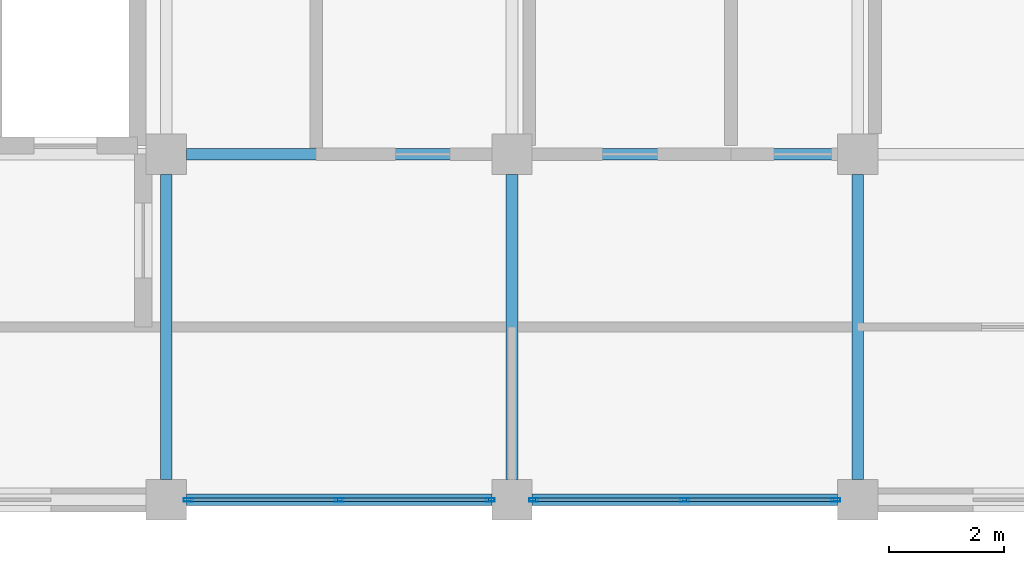
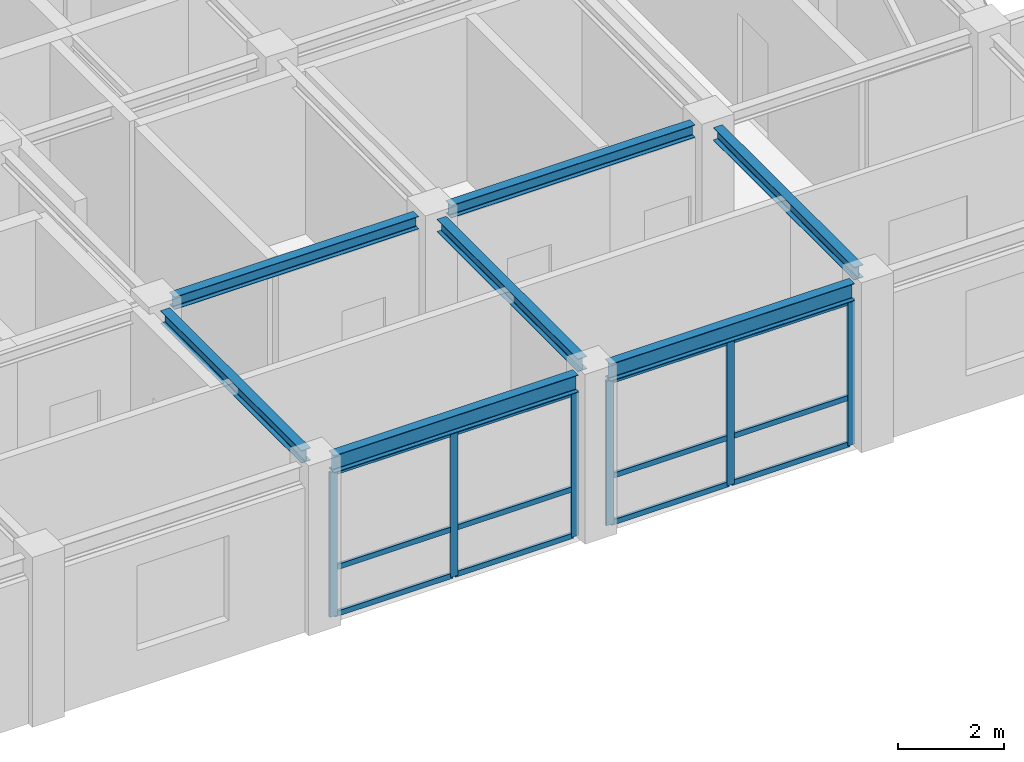
# One storey, part 4 of 11: 18 members, 7 beams, 2 elements without a shape of their own.
"""IFC4 building model written with IfcOpenShell, lengths in metres."""

from ifc_helpers import new_model, si_unit, direction, frame, origin, origin_2d, place, context, subcontext, project, spatial, hollow_rectangle, i_section, extrude, material, layer, layer_set, material_profile, profile_set, type_object, element, aggregate, save


model = new_model("IFC4")

# Units and contexts
model_context = context("Model", 3, precision=1e-05, world=origin(), true_north=direction((0.0, 1.0)))
body_context = subcontext(model_context, "Body", "Model", "MODEL_VIEW")
ifc_project = project(units=[si_unit("LENGTHUNIT", "METRE"), si_unit("AREAUNIT", "SQUARE_METRE"), si_unit("VOLUMEUNIT", "CUBIC_METRE"), si_unit("PLANEANGLEUNIT", "RADIAN"), si_unit("MASSUNIT", "GRAM", prefix="KILO")], contexts=[model_context])

# Site, building, storey
site_placement = place(None, origin())
site = spatial("IfcSite", under=ifc_project, at=site_placement, CompositionType="ELEMENT")
building_placement = place(site_placement, origin())
building = spatial("IfcBuilding", under=site, at=building_placement, Name="Zlatovratsky Civic Hall", CompositionType="ELEMENT")
storey_placement = place(building_placement, frame((0.0, 0.0, 56.10009765625)))
storey = spatial("IfcBuildingStorey", under=building, at=storey_placement, Name="L14", CompositionType="ELEMENT", Elevation=56.10009765625)

# Beams
ifc_material_1 = material(Name="Steel S355", Category="steel")
ifc_material_profile_1 = material_profile(ifc_material_1, i_section(OverallWidth=0.199951171875, OverallDepth=0.39990234375, WebThickness=0.008056640625, FlangeThickness=0.012939453125, FilletRadius=0.014892578125, at=origin_2d()), Name="40B2")
ifc_profile_set_1 = profile_set([ifc_material_profile_1], Name="Steel S355")
beam_type_1 = type_object("IfcBeamType", Name="Beam_Spandrel_40B2", PredefinedType="SPANDREL", material=ifc_profile_set_1)
for number, where, z_axis, x_axis, name in (
    (1, (78.35009765625, 78.0, 3.539794921875), (1.0, 0.0, 0.0), (0.0, 1.0, 0.0), "BM-4968"),
    (2, (84.35009765625, 78.0, 3.539794921875), (1.0, 0.0, 0.0), (0.0, 1.0, 0.0), "BM-4969"),
):
    element("IfcBeam", number, at=place(storey_placement, frame(where, z_axis=z_axis, x_axis=x_axis)), inside=storey, type_object=beam_type_1, Name=name, PredefinedType="SPANDREL", context=body_context, shape_type="SweptSolid", body=[
        extrude(i_section(OverallWidth=0.199951171875, OverallDepth=0.39990234375, WebThickness=0.008056640625, FlangeThickness=0.012939453125, FilletRadius=0.014892578125, at=origin_2d()), origin(), (0.0, 0.0, 1.0), 5.2998046875),
    ])
ifc_material_profile_2 = material_profile(ifc_material_1, i_section(OverallWidth=0.199951171875, OverallDepth=0.291015625, WebThickness=0.008056640625, FlangeThickness=0.010986328125, FilletRadius=0.01806640625, at=origin_2d()), Name="30Sh1")
ifc_profile_set_2 = profile_set([ifc_material_profile_2], Name="Steel S355")
beam_type_2 = type_object("IfcBeamType", Name="Beam_TowerHigh_30Sh1", PredefinedType="BEAM", material=ifc_profile_set_2)
for number, where, z_axis, x_axis, name in (
    (3, (78.35009765625, 84.0, 3.594482421875), (1.0, 0.0, 0.0), (0.0, 1.0, 0.0), "BM-4976"),
    (4, (84.35009765625, 84.0, 3.594482421875), (1.0, 0.0, 0.0), (0.0, 1.0, 0.0), "BM-4977"),
    (5, (78.0, 78.35009765625, 3.594482421875), (0.0, 1.0, 0.0), (-1.0, 0.0, 0.0), "BM-5015"),
    (6, (84.0, 78.35009765625, 3.594482421875), (0.0, 1.0, 0.0), (-1.0, 0.0, 0.0), "BM-5019"),
    (7, (90.0, 78.35009765625, 3.594482421875), (0.0, 1.0, 0.0), (-1.0, 0.0, 0.0), "BM-5023"),
):
    element("IfcBeam", number, at=place(storey_placement, frame(where, z_axis=z_axis, x_axis=x_axis)), inside=storey, type_object=beam_type_2, Name=name, PredefinedType="BEAM", context=body_context, shape_type="SweptSolid", body=[
        extrude(i_section(OverallWidth=0.199951171875, OverallDepth=0.291015625, WebThickness=0.008056640625, FlangeThickness=0.010986328125, FilletRadius=0.01806640625, at=origin_2d()), origin(), (0.0, 0.0, 1.0), 5.2998046875),
    ])

# Curtain wall, members
ifc_material_2 = material(Name="Anodised bronze aluminium", Category="aluminium")
ifc_layer = layer(ifc_material_2, 0.159912109375)
ifc_layer_set = layer_set([ifc_layer], Name="Anodised bronze aluminium")
curtain_wall_type = type_object("IfcCurtainWallType", Name="CurtainWall_Bronze_5300x3320_21", PredefinedType="NOTDEFINED", material=ifc_layer_set)
curtain_wall_1_placement = place(storey_placement, origin())
curtain_wall_1 = element("IfcCurtainWall", 8, at=curtain_wall_1_placement, inside=storey, type_object=curtain_wall_type, Name="CW-165", PredefinedType="NOTDEFINED")
ifc_material_profile_3 = material_profile(ifc_material_2, hollow_rectangle(XDim=0.06005859375, YDim=0.159912109375, WallThickness=0.00390625, at=origin_2d()), Name="ALU 60x160x4")
ifc_profile_set_3 = profile_set([ifc_material_profile_3], Name="Anodised bronze aluminium")
member_type_1 = type_object("IfcMemberType", Name="CW_Mullion_60x160", PredefinedType="MULLION", material=ifc_profile_set_3)
member_1_placement = place(storey_placement, frame((78.3798828125, 78.0, 0.0), z_axis=(0.0, 0.0, 1.0), x_axis=(0.0, 1.0, 0.0)))
member_1 = element("IfcMember", 9, at=member_1_placement, type_object=member_type_1, Name="CW-21 mullion 1", PredefinedType="MULLION", context=body_context, shape_type="SweptSolid", body=[
    extrude(hollow_rectangle(XDim=0.06005859375, YDim=0.159912109375, WallThickness=0.00390625, at=origin_2d()), origin(), (0.0, 0.0, 1.0), 3.31982421875),
])
member_2_placement = place(storey_placement, frame((81.0, 78.0, 0.0), z_axis=(0.0, 0.0, 1.0), x_axis=(0.0, 1.0, 0.0)))
member_2 = element("IfcMember", 10, at=member_2_placement, type_object=member_type_1, Name="CW-21 mullion 2", PredefinedType="MULLION", context=body_context, shape_type="SweptSolid", body=[
    extrude(hollow_rectangle(XDim=0.06005859375, YDim=0.159912109375, WallThickness=0.00390625, at=origin_2d()), origin(), (0.0, 0.0, 1.0), 3.31982421875),
])
member_3_placement = place(storey_placement, frame((83.6201171875, 78.0, 0.0), z_axis=(0.0, 0.0, 1.0), x_axis=(0.0, 1.0, 0.0)))
member_3 = element("IfcMember", 11, at=member_3_placement, type_object=member_type_1, Name="CW-21 mullion 3", PredefinedType="MULLION", context=body_context, shape_type="SweptSolid", body=[
    extrude(hollow_rectangle(XDim=0.06005859375, YDim=0.159912109375, WallThickness=0.00390625, at=origin_2d()), origin(), (0.0, 0.0, 1.0), 3.31982421875),
])

curtain_wall_2_placement = place(storey_placement, origin())
curtain_wall_2 = element("IfcCurtainWall", 12, at=curtain_wall_2_placement, inside=storey, type_object=curtain_wall_type, Name="CW-166", PredefinedType="NOTDEFINED")
member_4_placement = place(storey_placement, frame((84.3798828125, 78.0, 0.0), z_axis=(0.0, 0.0, 1.0), x_axis=(0.0, 1.0, 0.0)))
member_4 = element("IfcMember", 13, at=member_4_placement, type_object=member_type_1, Name="CW-21 mullion 1", PredefinedType="MULLION", context=body_context, shape_type="SweptSolid", body=[
    extrude(hollow_rectangle(XDim=0.06005859375, YDim=0.159912109375, WallThickness=0.00390625, at=origin_2d()), origin(), (0.0, 0.0, 1.0), 3.31982421875),
])
member_5_placement = place(storey_placement, frame((87.0, 78.0, 0.0), z_axis=(0.0, 0.0, 1.0), x_axis=(0.0, 1.0, 0.0)))
member_5 = element("IfcMember", 14, at=member_5_placement, type_object=member_type_1, Name="CW-21 mullion 2", PredefinedType="MULLION", context=body_context, shape_type="SweptSolid", body=[
    extrude(hollow_rectangle(XDim=0.06005859375, YDim=0.159912109375, WallThickness=0.00390625, at=origin_2d()), origin(), (0.0, 0.0, 1.0), 3.31982421875),
])
member_6_placement = place(storey_placement, frame((89.6201171875, 78.0, 0.0), z_axis=(0.0, 0.0, 1.0), x_axis=(0.0, 1.0, 0.0)))
member_6 = element("IfcMember", 15, at=member_6_placement, type_object=member_type_1, Name="CW-21 mullion 3", PredefinedType="MULLION", context=body_context, shape_type="SweptSolid", body=[
    extrude(hollow_rectangle(XDim=0.06005859375, YDim=0.159912109375, WallThickness=0.00390625, at=origin_2d()), origin(), (0.0, 0.0, 1.0), 3.31982421875),
])

# Member
ifc_material_profile_4 = material_profile(ifc_material_2, hollow_rectangle(XDim=0.06005859375, YDim=0.1201171875, WallThickness=0.00390625, at=origin_2d()), Name="ALU 60x120x4")
ifc_profile_set_4 = profile_set([ifc_material_profile_4], Name="Anodised bronze aluminium")
member_type_2 = type_object("IfcMemberType", Name="CW_Transom_60x120", PredefinedType="USERDEFINED", material=ifc_profile_set_4)
member_7_placement = place(storey_placement, frame((78.409912109375, 78.0, 0.02978515625), z_axis=(1.0, 0.0, 0.0), x_axis=(0.0, 1.0, 0.0)))
member_7 = element("IfcMember", 16, at=member_7_placement, type_object=member_type_2, Name="CW-21 transom 1.1", ObjectType="TRANSOM", PredefinedType="USERDEFINED", context=body_context, shape_type="SweptSolid", body=[
    extrude(hollow_rectangle(XDim=0.06005859375, YDim=0.1201171875, WallThickness=0.00390625, at=origin_2d()), origin(), (0.0, 0.0, 1.0), 2.56005859375),
])

member_8_placement = place(storey_placement, frame((78.409912109375, 78.0, 1.099853515625), z_axis=(1.0, 0.0, 0.0), x_axis=(0.0, 1.0, 0.0)))
member_8 = element("IfcMember", 17, at=member_8_placement, type_object=member_type_2, Name="CW-21 transom 1.2", ObjectType="TRANSOM", PredefinedType="USERDEFINED", context=body_context, shape_type="SweptSolid", body=[
    extrude(hollow_rectangle(XDim=0.06005859375, YDim=0.1201171875, WallThickness=0.00390625, at=origin_2d()), origin(), (0.0, 0.0, 1.0), 2.56005859375),
])

member_9_placement = place(storey_placement, frame((78.409912109375, 78.0, 3.289794921875), z_axis=(1.0, 0.0, 0.0), x_axis=(0.0, 1.0, 0.0)))
member_9 = element("IfcMember", 18, at=member_9_placement, type_object=member_type_2, Name="CW-21 transom 1.3", ObjectType="TRANSOM", PredefinedType="USERDEFINED", context=body_context, shape_type="SweptSolid", body=[
    extrude(hollow_rectangle(XDim=0.06005859375, YDim=0.1201171875, WallThickness=0.00390625, at=origin_2d()), origin(), (0.0, 0.0, 1.0), 2.56005859375),
])

member_10_placement = place(storey_placement, frame((81.030029296875, 78.0, 0.02978515625), z_axis=(1.0, 0.0, 0.0), x_axis=(0.0, 1.0, 0.0)))
member_10 = element("IfcMember", 19, at=member_10_placement, type_object=member_type_2, Name="CW-21 transom 2.1", ObjectType="TRANSOM", PredefinedType="USERDEFINED", context=body_context, shape_type="SweptSolid", body=[
    extrude(hollow_rectangle(XDim=0.06005859375, YDim=0.1201171875, WallThickness=0.00390625, at=origin_2d()), origin(), (0.0, 0.0, 1.0), 2.56005859375),
])

member_11_placement = place(storey_placement, frame((81.030029296875, 78.0, 1.099853515625), z_axis=(1.0, 0.0, 0.0), x_axis=(0.0, 1.0, 0.0)))
member_11 = element("IfcMember", 20, at=member_11_placement, type_object=member_type_2, Name="CW-21 transom 2.2", ObjectType="TRANSOM", PredefinedType="USERDEFINED", context=body_context, shape_type="SweptSolid", body=[
    extrude(hollow_rectangle(XDim=0.06005859375, YDim=0.1201171875, WallThickness=0.00390625, at=origin_2d()), origin(), (0.0, 0.0, 1.0), 2.56005859375),
])

member_12_placement = place(storey_placement, frame((81.030029296875, 78.0, 3.289794921875), z_axis=(1.0, 0.0, 0.0), x_axis=(0.0, 1.0, 0.0)))
member_12 = element("IfcMember", 21, at=member_12_placement, type_object=member_type_2, Name="CW-21 transom 2.3", ObjectType="TRANSOM", PredefinedType="USERDEFINED", context=body_context, shape_type="SweptSolid", body=[
    extrude(hollow_rectangle(XDim=0.06005859375, YDim=0.1201171875, WallThickness=0.00390625, at=origin_2d()), origin(), (0.0, 0.0, 1.0), 2.56005859375),
])

aggregate(curtain_wall_1, [member_1, member_2, member_3, member_7, member_8, member_9, member_10, member_11, member_12])

member_13_placement = place(storey_placement, frame((84.409912109375, 78.0, 0.02978515625), z_axis=(1.0, 0.0, 0.0), x_axis=(0.0, 1.0, 0.0)))
member_13 = element("IfcMember", 22, at=member_13_placement, type_object=member_type_2, Name="CW-21 transom 1.1", ObjectType="TRANSOM", PredefinedType="USERDEFINED", context=body_context, shape_type="SweptSolid", body=[
    extrude(hollow_rectangle(XDim=0.06005859375, YDim=0.1201171875, WallThickness=0.00390625, at=origin_2d()), origin(), (0.0, 0.0, 1.0), 2.56005859375),
])

member_14_placement = place(storey_placement, frame((84.409912109375, 78.0, 1.099853515625), z_axis=(1.0, 0.0, 0.0), x_axis=(0.0, 1.0, 0.0)))
member_14 = element("IfcMember", 23, at=member_14_placement, type_object=member_type_2, Name="CW-21 transom 1.2", ObjectType="TRANSOM", PredefinedType="USERDEFINED", context=body_context, shape_type="SweptSolid", body=[
    extrude(hollow_rectangle(XDim=0.06005859375, YDim=0.1201171875, WallThickness=0.00390625, at=origin_2d()), origin(), (0.0, 0.0, 1.0), 2.56005859375),
])

member_15_placement = place(storey_placement, frame((84.409912109375, 78.0, 3.289794921875), z_axis=(1.0, 0.0, 0.0), x_axis=(0.0, 1.0, 0.0)))
member_15 = element("IfcMember", 24, at=member_15_placement, type_object=member_type_2, Name="CW-21 transom 1.3", ObjectType="TRANSOM", PredefinedType="USERDEFINED", context=body_context, shape_type="SweptSolid", body=[
    extrude(hollow_rectangle(XDim=0.06005859375, YDim=0.1201171875, WallThickness=0.00390625, at=origin_2d()), origin(), (0.0, 0.0, 1.0), 2.56005859375),
])

member_16_placement = place(storey_placement, frame((87.030029296875, 78.0, 0.02978515625), z_axis=(1.0, 0.0, 0.0), x_axis=(0.0, 1.0, 0.0)))
member_16 = element("IfcMember", 25, at=member_16_placement, type_object=member_type_2, Name="CW-21 transom 2.1", ObjectType="TRANSOM", PredefinedType="USERDEFINED", context=body_context, shape_type="SweptSolid", body=[
    extrude(hollow_rectangle(XDim=0.06005859375, YDim=0.1201171875, WallThickness=0.00390625, at=origin_2d()), origin(), (0.0, 0.0, 1.0), 2.56005859375),
])

member_17_placement = place(storey_placement, frame((87.030029296875, 78.0, 1.099853515625), z_axis=(1.0, 0.0, 0.0), x_axis=(0.0, 1.0, 0.0)))
member_17 = element("IfcMember", 26, at=member_17_placement, type_object=member_type_2, Name="CW-21 transom 2.2", ObjectType="TRANSOM", PredefinedType="USERDEFINED", context=body_context, shape_type="SweptSolid", body=[
    extrude(hollow_rectangle(XDim=0.06005859375, YDim=0.1201171875, WallThickness=0.00390625, at=origin_2d()), origin(), (0.0, 0.0, 1.0), 2.56005859375),
])

member_18_placement = place(storey_placement, frame((87.030029296875, 78.0, 3.289794921875), z_axis=(1.0, 0.0, 0.0), x_axis=(0.0, 1.0, 0.0)))
member_18 = element("IfcMember", 27, at=member_18_placement, type_object=member_type_2, Name="CW-21 transom 2.3", ObjectType="TRANSOM", PredefinedType="USERDEFINED", context=body_context, shape_type="SweptSolid", body=[
    extrude(hollow_rectangle(XDim=0.06005859375, YDim=0.1201171875, WallThickness=0.00390625, at=origin_2d()), origin(), (0.0, 0.0, 1.0), 2.56005859375),
])

aggregate(curtain_wall_2, [member_4, member_5, member_6, member_13, member_14, member_15, member_16, member_17, member_18])

save(model, "model.ifc")
